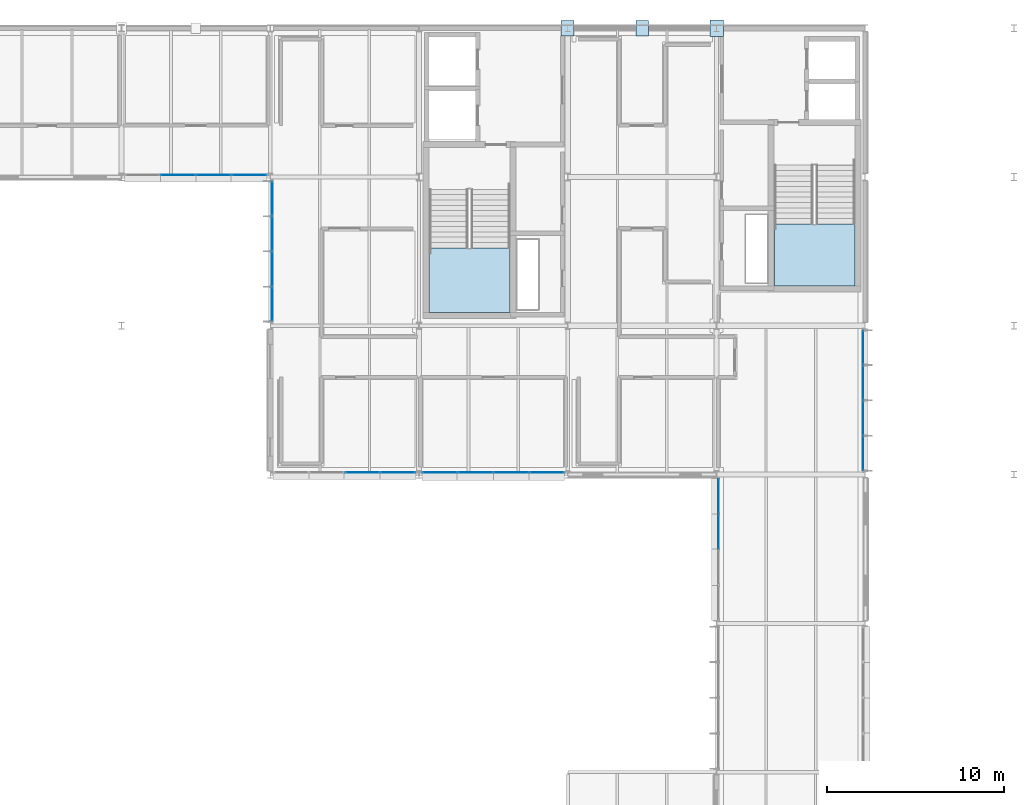
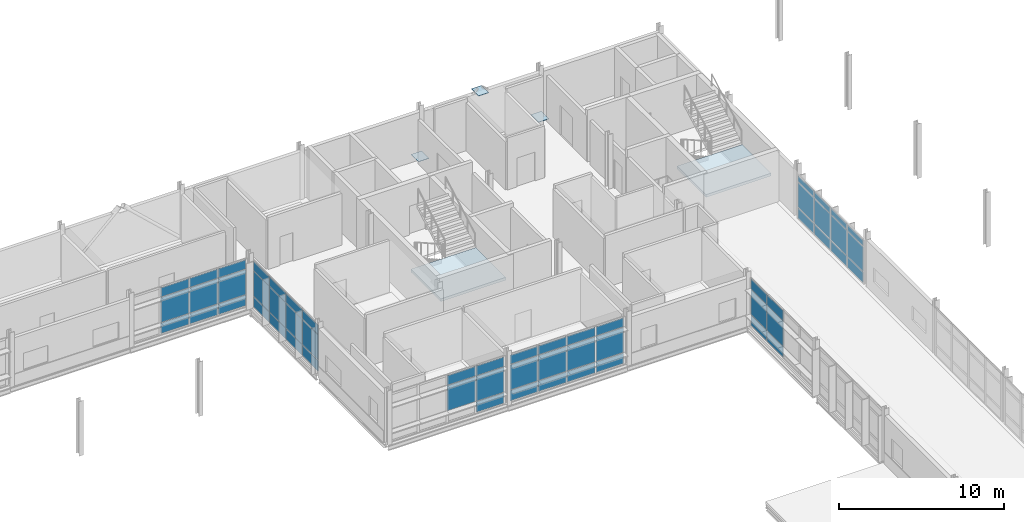
# One storey, part 49 of 66: 59 plates, 2 slabs, 8 elements without a shape of their own.
"""IFC4 building model written with IfcOpenShell, lengths in metres."""

from ifc_helpers import new_model, si_unit, direction, frame, origin, origin_2d, place, context, subcontext, project, spatial, polyline, rectangle, outline, extrude, material, layer, layer_set, type_object, element, aggregate, save


model = new_model("IFC4")

# Units and contexts
model_context = context("Model", 3, precision=1e-05, world=origin(), true_north=direction((0.0, 1.0)))
body_context = subcontext(model_context, "Body", "Model", "MODEL_VIEW")
ifc_project = project(units=[si_unit("LENGTHUNIT", "METRE"), si_unit("AREAUNIT", "SQUARE_METRE"), si_unit("VOLUMEUNIT", "CUBIC_METRE"), si_unit("PLANEANGLEUNIT", "RADIAN"), si_unit("MASSUNIT", "GRAM", prefix="KILO")], contexts=[model_context])

# Site, building, storey
site_placement = place(None, origin())
site = spatial("IfcSite", under=ifc_project, at=site_placement, CompositionType="ELEMENT")
building_placement = place(site_placement, origin())
building = spatial("IfcBuilding", under=site, at=building_placement, Name="Mersafa Astral City Hall", CompositionType="ELEMENT")
storey_placement = place(building_placement, frame((0.0, 0.0, 22.050048828125)))
storey = spatial("IfcBuildingStorey", under=building, at=storey_placement, Name="L05", CompositionType="ELEMENT", Elevation=22.050048828125)

# Curtain wall, plates
ifc_material_1 = material(Name="Anodised bronze aluminium framing", Category="aluminium")
curtain_wall_type_1 = type_object("IfcCurtainWallType", Name="ENV-CW-1", PredefinedType="USERDEFINED", material=ifc_material_1)
curtain_wall_1_placement = place(storey_placement, origin())
curtain_wall_1 = element("IfcCurtainWall", 1, at=curtain_wall_1_placement, inside=storey, type_object=curtain_wall_type_1, Name="L05 Unitised solar curtain wall 228", ObjectType="UNITISED CURTAIN WALL", PredefinedType="USERDEFINED")
ifc_material_2 = material(Name="Solar control low-e double glazing", Category="glass")
ifc_layer_1 = layer(ifc_material_2, 0.028076171875, Name="Solar control low-e double glazing")
ifc_layer_set_1 = layer_set([ifc_layer_1], Name="Solar control low-e double glazing — ENV-CW-PNL-GLZ-1")
plate_type_1 = type_object("IfcPlateType", Name="ENV-CW-PNL-GLZ-1", PredefinedType="CURTAIN_PANEL", material=ifc_layer_set_1)
plate_1_placement = place(storey_placement, frame((176.280029296875, 101.997802734375, 0.05810546875), z_axis=(0.0, 0.0, 1.0), x_axis=(0.0, 1.0, 0.0)))
plate_1 = element("IfcPlate", 2, at=plate_1_placement, type_object=plate_type_1, Name="CW-1 panel 1.1", PredefinedType="CURTAIN_PANEL", context=body_context, shape_type="SweptSolid", body=[
    extrude(rectangle(XDim=1.91162109375, YDim=0.028076171875, at=origin_2d()), origin(), (0.0, 0.0, 1.0), 0.761962890625),
])
plate_2_placement = place(storey_placement, frame((176.280029296875, 101.997802734375, 0.8798828125), z_axis=(0.0, 0.0, 1.0), x_axis=(0.0, 1.0, 0.0)))
plate_2 = element("IfcPlate", 3, at=plate_2_placement, type_object=plate_type_1, Name="CW-1 panel 1.2", PredefinedType="CURTAIN_PANEL", context=body_context, shape_type="SweptSolid", body=[
    extrude(rectangle(XDim=1.91162109375, YDim=0.028076171875, at=origin_2d()), origin(), (0.0, 0.0, 1.0), 1.840087890625),
])
plate_3_placement = place(storey_placement, frame((176.280029296875, 101.997802734375, 2.77978515625), z_axis=(0.0, 0.0, 1.0), x_axis=(0.0, 1.0, 0.0)))
plate_3 = element("IfcPlate", 4, at=plate_3_placement, type_object=plate_type_1, Name="CW-1 panel 1.3", PredefinedType="CURTAIN_PANEL", context=body_context, shape_type="SweptSolid", body=[
    extrude(rectangle(XDim=1.91162109375, YDim=0.028076171875, at=origin_2d()), origin(), (0.0, 0.0, 1.0), 0.431884765625),
])
plate_4_placement = place(storey_placement, frame((176.280029296875, 103.984130859375, 0.05810546875), z_axis=(0.0, 0.0, 1.0), x_axis=(0.0, 1.0, 0.0)))
plate_4 = element("IfcPlate", 5, at=plate_4_placement, type_object=plate_type_1, Name="CW-1 panel 2.1", PredefinedType="CURTAIN_PANEL", context=body_context, shape_type="SweptSolid", body=[
    extrude(rectangle(XDim=1.94140625, YDim=0.028076171875, at=origin_2d()), origin(), (0.0, 0.0, 1.0), 0.761962890625),
])
plate_5_placement = place(storey_placement, frame((176.280029296875, 103.984130859375, 0.8798828125), z_axis=(0.0, 0.0, 1.0), x_axis=(0.0, 1.0, 0.0)))
plate_5 = element("IfcPlate", 6, at=plate_5_placement, type_object=plate_type_1, Name="CW-1 panel 2.2", PredefinedType="CURTAIN_PANEL", context=body_context, shape_type="SweptSolid", body=[
    extrude(rectangle(XDim=1.94140625, YDim=0.028076171875, at=origin_2d()), origin(), (0.0, 0.0, 1.0), 1.840087890625),
])
plate_6_placement = place(storey_placement, frame((176.280029296875, 103.984130859375, 2.77978515625), z_axis=(0.0, 0.0, 1.0), x_axis=(0.0, 1.0, 0.0)))
plate_6 = element("IfcPlate", 7, at=plate_6_placement, type_object=plate_type_1, Name="CW-1 panel 2.3", PredefinedType="CURTAIN_PANEL", context=body_context, shape_type="SweptSolid", body=[
    extrude(rectangle(XDim=1.94140625, YDim=0.028076171875, at=origin_2d()), origin(), (0.0, 0.0, 1.0), 0.431884765625),
])
plate_7_placement = place(storey_placement, frame((176.280029296875, 105.98583984375, 0.05810546875), z_axis=(0.0, 0.0, 1.0), x_axis=(0.0, 1.0, 0.0)))
plate_7 = element("IfcPlate", 8, at=plate_7_placement, type_object=plate_type_1, Name="CW-1 panel 3.1", PredefinedType="CURTAIN_PANEL", context=body_context, shape_type="SweptSolid", body=[
    extrude(rectangle(XDim=1.94140625, YDim=0.028076171875, at=origin_2d()), origin(), (0.0, 0.0, 1.0), 0.761962890625),
])
plate_8_placement = place(storey_placement, frame((176.280029296875, 105.98583984375, 0.8798828125), z_axis=(0.0, 0.0, 1.0), x_axis=(0.0, 1.0, 0.0)))
plate_8 = element("IfcPlate", 9, at=plate_8_placement, type_object=plate_type_1, Name="CW-1 panel 3.2", PredefinedType="CURTAIN_PANEL", context=body_context, shape_type="SweptSolid", body=[
    extrude(rectangle(XDim=1.94140625, YDim=0.028076171875, at=origin_2d()), origin(), (0.0, 0.0, 1.0), 1.840087890625),
])
plate_9_placement = place(storey_placement, frame((176.280029296875, 105.98583984375, 2.77978515625), z_axis=(0.0, 0.0, 1.0), x_axis=(0.0, 1.0, 0.0)))
plate_9 = element("IfcPlate", 10, at=plate_9_placement, type_object=plate_type_1, Name="CW-1 panel 3.3", PredefinedType="CURTAIN_PANEL", context=body_context, shape_type="SweptSolid", body=[
    extrude(rectangle(XDim=1.94140625, YDim=0.028076171875, at=origin_2d()), origin(), (0.0, 0.0, 1.0), 0.431884765625),
])
plate_10_placement = place(storey_placement, frame((176.280029296875, 107.97216796875, 0.05810546875), z_axis=(0.0, 0.0, 1.0), x_axis=(0.0, 1.0, 0.0)))
plate_10 = element("IfcPlate", 11, at=plate_10_placement, type_object=plate_type_1, Name="CW-1 panel 4.1", PredefinedType="CURTAIN_PANEL", context=body_context, shape_type="SweptSolid", body=[
    extrude(rectangle(XDim=1.91162109375, YDim=0.028076171875, at=origin_2d()), origin(), (0.0, 0.0, 1.0), 0.761962890625),
])
plate_11_placement = place(storey_placement, frame((176.280029296875, 107.97216796875, 0.8798828125), z_axis=(0.0, 0.0, 1.0), x_axis=(0.0, 1.0, 0.0)))
plate_11 = element("IfcPlate", 12, at=plate_11_placement, type_object=plate_type_1, Name="CW-1 panel 4.2", PredefinedType="CURTAIN_PANEL", context=body_context, shape_type="SweptSolid", body=[
    extrude(rectangle(XDim=1.91162109375, YDim=0.028076171875, at=origin_2d()), origin(), (0.0, 0.0, 1.0), 1.840087890625),
])
plate_12_placement = place(storey_placement, frame((176.280029296875, 107.97216796875, 2.77978515625), z_axis=(0.0, 0.0, 1.0), x_axis=(0.0, 1.0, 0.0)))
plate_12 = element("IfcPlate", 13, at=plate_12_placement, type_object=plate_type_1, Name="CW-1 panel 4.3", PredefinedType="CURTAIN_PANEL", context=body_context, shape_type="SweptSolid", body=[
    extrude(rectangle(XDim=1.91162109375, YDim=0.028076171875, at=origin_2d()), origin(), (0.0, 0.0, 1.0), 0.431884765625),
])
aggregate(curtain_wall_1, [plate_1, plate_2, plate_3, plate_4, plate_5, plate_6, plate_7, plate_8, plate_9, plate_10, plate_11, plate_12])

curtain_wall_type_2 = type_object("IfcCurtainWallType", Name="ENV-CW-5", PredefinedType="USERDEFINED", material=ifc_material_1)
curtain_wall_2_placement = place(storey_placement, origin())
curtain_wall_2 = element("IfcCurtainWall", 14, at=curtain_wall_2_placement, inside=storey, type_object=curtain_wall_type_2, Name="L05 Unitised solar curtain wall 244", ObjectType="UNITISED CURTAIN WALL", PredefinedType="USERDEFINED")
plate_13_placement = place(storey_placement, frame((152.386474609375, 100.919921875, 0.05810546875), z_axis=(0.0, 0.0, 1.0), x_axis=(1.0, 0.0, 0.0)))
plate_13 = element("IfcPlate", 15, at=plate_13_placement, type_object=plate_type_1, Name="CW-5 panel 1.1", PredefinedType="CURTAIN_PANEL", context=body_context, shape_type="SweptSolid", body=[
    extrude(rectangle(XDim=1.928955078125, YDim=0.028076171875, at=origin_2d()), origin(), (0.0, 0.0, 1.0), 0.761962890625),
])
plate_14_placement = place(storey_placement, frame((152.386474609375, 100.919921875, 0.8798828125), z_axis=(0.0, 0.0, 1.0), x_axis=(1.0, 0.0, 0.0)))
plate_14 = element("IfcPlate", 16, at=plate_14_placement, type_object=plate_type_1, Name="CW-5 panel 1.2", PredefinedType="CURTAIN_PANEL", context=body_context, shape_type="SweptSolid", body=[
    extrude(rectangle(XDim=1.928955078125, YDim=0.028076171875, at=origin_2d()), origin(), (0.0, 0.0, 1.0), 1.840087890625),
])
plate_15_placement = place(storey_placement, frame((152.386474609375, 100.919921875, 2.77978515625), z_axis=(0.0, 0.0, 1.0), x_axis=(1.0, 0.0, 0.0)))
plate_15 = element("IfcPlate", 17, at=plate_15_placement, type_object=plate_type_1, Name="CW-5 panel 1.3", PredefinedType="CURTAIN_PANEL", context=body_context, shape_type="SweptSolid", body=[
    extrude(rectangle(XDim=1.928955078125, YDim=0.028076171875, at=origin_2d()), origin(), (0.0, 0.0, 1.0), 0.672119140625),
])
plate_16_placement = place(storey_placement, frame((154.390380859375, 100.919921875, 0.05810546875), z_axis=(0.0, 0.0, 1.0), x_axis=(1.0, 0.0, 0.0)))
plate_16 = element("IfcPlate", 18, at=plate_16_placement, type_object=plate_type_1, Name="CW-5 panel 2.1", PredefinedType="CURTAIN_PANEL", context=body_context, shape_type="SweptSolid", body=[
    extrude(rectangle(XDim=1.958984375, YDim=0.028076171875, at=origin_2d()), origin(), (0.0, 0.0, 1.0), 0.761962890625),
])
plate_17_placement = place(storey_placement, frame((154.390380859375, 100.919921875, 0.8798828125), z_axis=(0.0, 0.0, 1.0), x_axis=(1.0, 0.0, 0.0)))
plate_17 = element("IfcPlate", 19, at=plate_17_placement, type_object=plate_type_1, Name="CW-5 panel 2.2", PredefinedType="CURTAIN_PANEL", context=body_context, shape_type="SweptSolid", body=[
    extrude(rectangle(XDim=1.958984375, YDim=0.028076171875, at=origin_2d()), origin(), (0.0, 0.0, 1.0), 1.840087890625),
])
plate_18_placement = place(storey_placement, frame((154.390380859375, 100.919921875, 2.77978515625), z_axis=(0.0, 0.0, 1.0), x_axis=(1.0, 0.0, 0.0)))
plate_18 = element("IfcPlate", 20, at=plate_18_placement, type_object=plate_type_1, Name="CW-5 panel 2.3", PredefinedType="CURTAIN_PANEL", context=body_context, shape_type="SweptSolid", body=[
    extrude(rectangle(XDim=1.958984375, YDim=0.028076171875, at=origin_2d()), origin(), (0.0, 0.0, 1.0), 0.672119140625),
])
plate_19_placement = place(storey_placement, frame((156.409423828125, 100.919921875, 0.05810546875), z_axis=(0.0, 0.0, 1.0), x_axis=(1.0, 0.0, 0.0)))
plate_19 = element("IfcPlate", 21, at=plate_19_placement, type_object=plate_type_1, Name="CW-5 panel 3.1", PredefinedType="CURTAIN_PANEL", context=body_context, shape_type="SweptSolid", body=[
    extrude(rectangle(XDim=1.958984375, YDim=0.028076171875, at=origin_2d()), origin(), (0.0, 0.0, 1.0), 0.761962890625),
])
plate_20_placement = place(storey_placement, frame((156.409423828125, 100.919921875, 0.8798828125), z_axis=(0.0, 0.0, 1.0), x_axis=(1.0, 0.0, 0.0)))
plate_20 = element("IfcPlate", 22, at=plate_20_placement, type_object=plate_type_1, Name="CW-5 panel 3.2", PredefinedType="CURTAIN_PANEL", context=body_context, shape_type="SweptSolid", body=[
    extrude(rectangle(XDim=1.958984375, YDim=0.028076171875, at=origin_2d()), origin(), (0.0, 0.0, 1.0), 1.840087890625),
])
plate_21_placement = place(storey_placement, frame((156.409423828125, 100.919921875, 2.77978515625), z_axis=(0.0, 0.0, 1.0), x_axis=(1.0, 0.0, 0.0)))
plate_21 = element("IfcPlate", 23, at=plate_21_placement, type_object=plate_type_1, Name="CW-5 panel 3.3", PredefinedType="CURTAIN_PANEL", context=body_context, shape_type="SweptSolid", body=[
    extrude(rectangle(XDim=1.958984375, YDim=0.028076171875, at=origin_2d()), origin(), (0.0, 0.0, 1.0), 0.672119140625),
])
plate_22_placement = place(storey_placement, frame((158.41357421875, 100.919921875, 0.05810546875), z_axis=(0.0, 0.0, 1.0), x_axis=(1.0, 0.0, 0.0)))
plate_22 = element("IfcPlate", 24, at=plate_22_placement, type_object=plate_type_1, Name="CW-5 panel 4.1", PredefinedType="CURTAIN_PANEL", context=body_context, shape_type="SweptSolid", body=[
    extrude(rectangle(XDim=1.928955078125, YDim=0.028076171875, at=origin_2d()), origin(), (0.0, 0.0, 1.0), 0.761962890625),
])
plate_23_placement = place(storey_placement, frame((158.41357421875, 100.919921875, 0.8798828125), z_axis=(0.0, 0.0, 1.0), x_axis=(1.0, 0.0, 0.0)))
plate_23 = element("IfcPlate", 25, at=plate_23_placement, type_object=plate_type_1, Name="CW-5 panel 4.2", PredefinedType="CURTAIN_PANEL", context=body_context, shape_type="SweptSolid", body=[
    extrude(rectangle(XDim=1.928955078125, YDim=0.028076171875, at=origin_2d()), origin(), (0.0, 0.0, 1.0), 1.840087890625),
])
plate_24_placement = place(storey_placement, frame((158.41357421875, 100.919921875, 2.77978515625), z_axis=(0.0, 0.0, 1.0), x_axis=(1.0, 0.0, 0.0)))
plate_24 = element("IfcPlate", 26, at=plate_24_placement, type_object=plate_type_1, Name="CW-5 panel 4.3", PredefinedType="CURTAIN_PANEL", context=body_context, shape_type="SweptSolid", body=[
    extrude(rectangle(XDim=1.928955078125, YDim=0.028076171875, at=origin_2d()), origin(), (0.0, 0.0, 1.0), 0.672119140625),
])
aggregate(curtain_wall_2, [plate_13, plate_14, plate_15, plate_16, plate_17, plate_18, plate_19, plate_20, plate_21, plate_22, plate_23, plate_24])

curtain_wall_type_3 = type_object("IfcCurtainWallType", Name="ENV-CW-2", PredefinedType="USERDEFINED", material=ifc_material_1)
curtain_wall_3_placement = place(storey_placement, origin())
curtain_wall_3 = element("IfcCurtainWall", 27, at=curtain_wall_3_placement, inside=storey, type_object=curtain_wall_type_3, Name="L05 Unitised solar curtain wall 241", ObjectType="UNITISED CURTAIN WALL", PredefinedType="USERDEFINED")
ifc_layer_2 = layer(ifc_material_2, 0.031982421875, Name="Solar control low-e double glazing")
ifc_layer_set_2 = layer_set([ifc_layer_2], Name="Solar control low-e double glazing — ENV-CW-PNL-GLZ-2")
plate_type_2 = type_object("IfcPlateType", Name="ENV-CW-PNL-GLZ-2", PredefinedType="CURTAIN_PANEL", material=ifc_layer_set_2)
plate_25_placement = place(storey_placement, frame((137.590576171875, 117.719970703125, 0.05810546875), z_axis=(0.0, 0.0, 1.0), x_axis=(1.0, 0.0, 0.0)))
plate_25 = element("IfcPlate", 28, at=plate_25_placement, type_object=plate_type_2, Name="CW-2 panel 2.1", PredefinedType="CURTAIN_PANEL", context=body_context, shape_type="SweptSolid", body=[
    extrude(rectangle(XDim=1.958984375, YDim=0.031982421875, at=origin_2d()), origin(), (0.0, 0.0, 1.0), 0.761962890625),
])
plate_26_placement = place(storey_placement, frame((137.590576171875, 117.719970703125, 0.8798828125), z_axis=(0.0, 0.0, 1.0), x_axis=(1.0, 0.0, 0.0)))
plate_26 = element("IfcPlate", 29, at=plate_26_placement, type_object=plate_type_2, Name="CW-2 panel 2.2", PredefinedType="CURTAIN_PANEL", context=body_context, shape_type="SweptSolid", body=[
    extrude(rectangle(XDim=1.958984375, YDim=0.031982421875, at=origin_2d()), origin(), (0.0, 0.0, 1.0), 1.840087890625),
])
plate_27_placement = place(storey_placement, frame((137.590576171875, 117.719970703125, 2.77978515625), z_axis=(0.0, 0.0, 1.0), x_axis=(1.0, 0.0, 0.0)))
plate_27 = element("IfcPlate", 30, at=plate_27_placement, type_object=plate_type_2, Name="CW-2 panel 2.3", PredefinedType="CURTAIN_PANEL", context=body_context, shape_type="SweptSolid", body=[
    extrude(rectangle(XDim=1.958984375, YDim=0.031982421875, at=origin_2d()), origin(), (0.0, 0.0, 1.0), 0.672119140625),
])
plate_28_placement = place(storey_placement, frame((139.609619140625, 117.719970703125, 0.05810546875), z_axis=(0.0, 0.0, 1.0), x_axis=(1.0, 0.0, 0.0)))
plate_28 = element("IfcPlate", 31, at=plate_28_placement, type_object=plate_type_2, Name="CW-2 panel 3.1", PredefinedType="CURTAIN_PANEL", context=body_context, shape_type="SweptSolid", body=[
    extrude(rectangle(XDim=1.958984375, YDim=0.031982421875, at=origin_2d()), origin(), (0.0, 0.0, 1.0), 0.761962890625),
])
plate_29_placement = place(storey_placement, frame((139.609619140625, 117.719970703125, 0.8798828125), z_axis=(0.0, 0.0, 1.0), x_axis=(1.0, 0.0, 0.0)))
plate_29 = element("IfcPlate", 32, at=plate_29_placement, type_object=plate_type_2, Name="CW-2 panel 3.2", PredefinedType="CURTAIN_PANEL", context=body_context, shape_type="SweptSolid", body=[
    extrude(rectangle(XDim=1.958984375, YDim=0.031982421875, at=origin_2d()), origin(), (0.0, 0.0, 1.0), 1.840087890625),
])
plate_30_placement = place(storey_placement, frame((139.609619140625, 117.719970703125, 2.77978515625), z_axis=(0.0, 0.0, 1.0), x_axis=(1.0, 0.0, 0.0)))
plate_30 = element("IfcPlate", 33, at=plate_30_placement, type_object=plate_type_2, Name="CW-2 panel 3.3", PredefinedType="CURTAIN_PANEL", context=body_context, shape_type="SweptSolid", body=[
    extrude(rectangle(XDim=1.958984375, YDim=0.031982421875, at=origin_2d()), origin(), (0.0, 0.0, 1.0), 0.672119140625),
])
plate_31_placement = place(storey_placement, frame((141.613525390625, 117.719970703125, 0.05810546875), z_axis=(0.0, 0.0, 1.0), x_axis=(1.0, 0.0, 0.0)))
plate_31 = element("IfcPlate", 34, at=plate_31_placement, type_object=plate_type_2, Name="CW-2 panel 4.1", PredefinedType="CURTAIN_PANEL", context=body_context, shape_type="SweptSolid", body=[
    extrude(rectangle(XDim=1.928955078125, YDim=0.031982421875, at=origin_2d()), origin(), (0.0, 0.0, 1.0), 0.761962890625),
])
plate_32_placement = place(storey_placement, frame((141.613525390625, 117.719970703125, 0.8798828125), z_axis=(0.0, 0.0, 1.0), x_axis=(1.0, 0.0, 0.0)))
plate_32 = element("IfcPlate", 35, at=plate_32_placement, type_object=plate_type_2, Name="CW-2 panel 4.2", PredefinedType="CURTAIN_PANEL", context=body_context, shape_type="SweptSolid", body=[
    extrude(rectangle(XDim=1.928955078125, YDim=0.031982421875, at=origin_2d()), origin(), (0.0, 0.0, 1.0), 1.840087890625),
])
plate_33_placement = place(storey_placement, frame((141.613525390625, 117.719970703125, 2.77978515625), z_axis=(0.0, 0.0, 1.0), x_axis=(1.0, 0.0, 0.0)))
plate_33 = element("IfcPlate", 36, at=plate_33_placement, type_object=plate_type_2, Name="CW-2 panel 4.3", PredefinedType="CURTAIN_PANEL", context=body_context, shape_type="SweptSolid", body=[
    extrude(rectangle(XDim=1.928955078125, YDim=0.031982421875, at=origin_2d()), origin(), (0.0, 0.0, 1.0), 0.672119140625),
])
aggregate(curtain_wall_3, [plate_25, plate_26, plate_27, plate_28, plate_29, plate_30, plate_31, plate_32, plate_33])

curtain_wall_type_4 = type_object("IfcCurtainWallType", Name="ENV-CW-6", PredefinedType="USERDEFINED", material=ifc_material_1)
curtain_wall_4_placement = place(storey_placement, origin())
curtain_wall_4 = element("IfcCurtainWall", 37, at=curtain_wall_4_placement, inside=storey, type_object=curtain_wall_type_4, Name="L05 Unitised solar curtain wall 245", ObjectType="UNITISED CURTAIN WALL", PredefinedType="USERDEFINED")
plate_34_placement = place(storey_placement, frame((168.1201171875, 99.56982421875, 0.05810546875), z_axis=(0.0, 0.0, 1.0), x_axis=(0.0, -1.0, 0.0)))
plate_34 = element("IfcPlate", 38, at=plate_34_placement, type_object=plate_type_2, Name="CW-6 panel 1.1", PredefinedType="CURTAIN_PANEL", context=body_context, shape_type="SweptSolid", body=[
    extrude(rectangle(XDim=1.91650390625, YDim=0.031982421875, at=origin_2d()), origin(), (0.0, 0.0, 1.0), 0.761962890625),
])
plate_35_placement = place(storey_placement, frame((168.1201171875, 99.56982421875, 0.8798828125), z_axis=(0.0, 0.0, 1.0), x_axis=(0.0, -1.0, 0.0)))
plate_35 = element("IfcPlate", 39, at=plate_35_placement, type_object=plate_type_2, Name="CW-6 panel 1.2", PredefinedType="CURTAIN_PANEL", context=body_context, shape_type="SweptSolid", body=[
    extrude(rectangle(XDim=1.91650390625, YDim=0.031982421875, at=origin_2d()), origin(), (0.0, 0.0, 1.0), 1.840087890625),
])
plate_36_placement = place(storey_placement, frame((168.1201171875, 99.56982421875, 2.77978515625), z_axis=(0.0, 0.0, 1.0), x_axis=(0.0, -1.0, 0.0)))
plate_36 = element("IfcPlate", 40, at=plate_36_placement, type_object=plate_type_2, Name="CW-6 panel 1.3", PredefinedType="CURTAIN_PANEL", context=body_context, shape_type="SweptSolid", body=[
    extrude(rectangle(XDim=1.91650390625, YDim=0.031982421875, at=origin_2d()), origin(), (0.0, 0.0, 1.0), 0.737060546875),
])
plate_37_placement = place(storey_placement, frame((168.1201171875, 97.578369140625, 0.05810546875), z_axis=(0.0, 0.0, 1.0), x_axis=(0.0, -1.0, 0.0)))
plate_37 = element("IfcPlate", 41, at=plate_37_placement, type_object=plate_type_2, Name="CW-6 panel 2.1", PredefinedType="CURTAIN_PANEL", context=body_context, shape_type="SweptSolid", body=[
    extrude(rectangle(XDim=1.946533203125, YDim=0.031982421875, at=origin_2d()), origin(), (0.0, 0.0, 1.0), 0.761962890625),
])
plate_38_placement = place(storey_placement, frame((168.1201171875, 97.578369140625, 0.8798828125), z_axis=(0.0, 0.0, 1.0), x_axis=(0.0, -1.0, 0.0)))
plate_38 = element("IfcPlate", 42, at=plate_38_placement, type_object=plate_type_2, Name="CW-6 panel 2.2", PredefinedType="CURTAIN_PANEL", context=body_context, shape_type="SweptSolid", body=[
    extrude(rectangle(XDim=1.946533203125, YDim=0.031982421875, at=origin_2d()), origin(), (0.0, 0.0, 1.0), 1.840087890625),
])
plate_39_placement = place(storey_placement, frame((168.1201171875, 97.578369140625, 2.77978515625), z_axis=(0.0, 0.0, 1.0), x_axis=(0.0, -1.0, 0.0)))
plate_39 = element("IfcPlate", 43, at=plate_39_placement, type_object=plate_type_2, Name="CW-6 panel 2.3", PredefinedType="CURTAIN_PANEL", context=body_context, shape_type="SweptSolid", body=[
    extrude(rectangle(XDim=1.946533203125, YDim=0.031982421875, at=origin_2d()), origin(), (0.0, 0.0, 1.0), 0.737060546875),
])
aggregate(curtain_wall_4, [plate_34, plate_35, plate_36, plate_37, plate_38, plate_39])

curtain_wall_type_5 = type_object("IfcCurtainWallType", Name="ENV-CW-3", PredefinedType="USERDEFINED", material=ifc_material_1)
curtain_wall_5_placement = place(storey_placement, origin())
curtain_wall_5 = element("IfcCurtainWall", 44, at=curtain_wall_5_placement, inside=storey, type_object=curtain_wall_type_5, Name="L05 Unitised solar curtain wall 242", ObjectType="UNITISED CURTAIN WALL", PredefinedType="USERDEFINED")
ifc_layer_3 = layer(ifc_material_2, 0.035888671875, Name="Solar control low-e double glazing")
ifc_layer_set_3 = layer_set([ifc_layer_3], Name="Solar control low-e double glazing — ENV-CW-PNL-GLZ-3")
plate_type_3 = type_object("IfcPlateType", Name="ENV-CW-PNL-GLZ-3", PredefinedType="CURTAIN_PANEL", material=ifc_layer_set_3)
plate_40_placement = place(storey_placement, frame((142.919921875, 116.3759765625, 0.05810546875), z_axis=(0.0, 0.0, 1.0), x_axis=(0.0, -1.0, 0.0)))
plate_40 = element("IfcPlate", 45, at=plate_40_placement, type_object=plate_type_3, Name="CW-3 panel 1.1", PredefinedType="CURTAIN_PANEL", context=body_context, shape_type="SweptSolid", body=[
    extrude(rectangle(XDim=1.904052734375, YDim=0.035888671875, at=origin_2d()), origin(), (0.0, 0.0, 1.0), 0.761962890625),
])
plate_41_placement = place(storey_placement, frame((142.919921875, 116.3759765625, 0.8798828125), z_axis=(0.0, 0.0, 1.0), x_axis=(0.0, -1.0, 0.0)))
plate_41 = element("IfcPlate", 46, at=plate_41_placement, type_object=plate_type_3, Name="CW-3 panel 1.2", PredefinedType="CURTAIN_PANEL", context=body_context, shape_type="SweptSolid", body=[
    extrude(rectangle(XDim=1.904052734375, YDim=0.035888671875, at=origin_2d()), origin(), (0.0, 0.0, 1.0), 1.840087890625),
])
plate_42_placement = place(storey_placement, frame((142.919921875, 116.3759765625, 2.77978515625), z_axis=(0.0, 0.0, 1.0), x_axis=(0.0, -1.0, 0.0)))
plate_42 = element("IfcPlate", 47, at=plate_42_placement, type_object=plate_type_3, Name="CW-3 panel 1.3", PredefinedType="CURTAIN_PANEL", context=body_context, shape_type="SweptSolid", body=[
    extrude(rectangle(XDim=1.904052734375, YDim=0.035888671875, at=origin_2d()), origin(), (0.0, 0.0, 1.0), 0.672119140625),
])
plate_43_placement = place(storey_placement, frame((142.919921875, 114.39697265625, 0.05810546875), z_axis=(0.0, 0.0, 1.0), x_axis=(0.0, -1.0, 0.0)))
plate_43 = element("IfcPlate", 48, at=plate_43_placement, type_object=plate_type_3, Name="CW-3 panel 2.1", PredefinedType="CURTAIN_PANEL", context=body_context, shape_type="SweptSolid", body=[
    extrude(rectangle(XDim=1.93408203125, YDim=0.035888671875, at=origin_2d()), origin(), (0.0, 0.0, 1.0), 0.761962890625),
])
plate_44_placement = place(storey_placement, frame((142.919921875, 114.39697265625, 0.8798828125), z_axis=(0.0, 0.0, 1.0), x_axis=(0.0, -1.0, 0.0)))
plate_44 = element("IfcPlate", 49, at=plate_44_placement, type_object=plate_type_3, Name="CW-3 panel 2.2", PredefinedType="CURTAIN_PANEL", context=body_context, shape_type="SweptSolid", body=[
    extrude(rectangle(XDim=1.93408203125, YDim=0.035888671875, at=origin_2d()), origin(), (0.0, 0.0, 1.0), 1.840087890625),
])
plate_45_placement = place(storey_placement, frame((142.919921875, 114.39697265625, 2.77978515625), z_axis=(0.0, 0.0, 1.0), x_axis=(0.0, -1.0, 0.0)))
plate_45 = element("IfcPlate", 50, at=plate_45_placement, type_object=plate_type_3, Name="CW-3 panel 2.3", PredefinedType="CURTAIN_PANEL", context=body_context, shape_type="SweptSolid", body=[
    extrude(rectangle(XDim=1.93408203125, YDim=0.035888671875, at=origin_2d()), origin(), (0.0, 0.0, 1.0), 0.672119140625),
])
plate_46_placement = place(storey_placement, frame((142.919921875, 112.403076171875, 0.05810546875), z_axis=(0.0, 0.0, 1.0), x_axis=(0.0, -1.0, 0.0)))
plate_46 = element("IfcPlate", 51, at=plate_46_placement, type_object=plate_type_3, Name="CW-3 panel 3.1", PredefinedType="CURTAIN_PANEL", context=body_context, shape_type="SweptSolid", body=[
    extrude(rectangle(XDim=1.93408203125, YDim=0.035888671875, at=origin_2d()), origin(), (0.0, 0.0, 1.0), 0.761962890625),
])
plate_47_placement = place(storey_placement, frame((142.919921875, 112.403076171875, 0.8798828125), z_axis=(0.0, 0.0, 1.0), x_axis=(0.0, -1.0, 0.0)))
plate_47 = element("IfcPlate", 52, at=plate_47_placement, type_object=plate_type_3, Name="CW-3 panel 3.2", PredefinedType="CURTAIN_PANEL", context=body_context, shape_type="SweptSolid", body=[
    extrude(rectangle(XDim=1.93408203125, YDim=0.035888671875, at=origin_2d()), origin(), (0.0, 0.0, 1.0), 1.840087890625),
])
plate_48_placement = place(storey_placement, frame((142.919921875, 112.403076171875, 2.77978515625), z_axis=(0.0, 0.0, 1.0), x_axis=(0.0, -1.0, 0.0)))
plate_48 = element("IfcPlate", 53, at=plate_48_placement, type_object=plate_type_3, Name="CW-3 panel 3.3", PredefinedType="CURTAIN_PANEL", context=body_context, shape_type="SweptSolid", body=[
    extrude(rectangle(XDim=1.93408203125, YDim=0.035888671875, at=origin_2d()), origin(), (0.0, 0.0, 1.0), 0.672119140625),
])
plate_49_placement = place(storey_placement, frame((142.919921875, 110.424072265625, 0.05810546875), z_axis=(0.0, 0.0, 1.0), x_axis=(0.0, -1.0, 0.0)))
plate_49 = element("IfcPlate", 54, at=plate_49_placement, type_object=plate_type_3, Name="CW-3 panel 4.1", PredefinedType="CURTAIN_PANEL", context=body_context, shape_type="SweptSolid", body=[
    extrude(rectangle(XDim=1.904052734375, YDim=0.035888671875, at=origin_2d()), origin(), (0.0, 0.0, 1.0), 0.761962890625),
])
plate_50_placement = place(storey_placement, frame((142.919921875, 110.424072265625, 0.8798828125), z_axis=(0.0, 0.0, 1.0), x_axis=(0.0, -1.0, 0.0)))
plate_50 = element("IfcPlate", 55, at=plate_50_placement, type_object=plate_type_3, Name="CW-3 panel 4.2", PredefinedType="CURTAIN_PANEL", context=body_context, shape_type="SweptSolid", body=[
    extrude(rectangle(XDim=1.904052734375, YDim=0.035888671875, at=origin_2d()), origin(), (0.0, 0.0, 1.0), 1.840087890625),
])
plate_51_placement = place(storey_placement, frame((142.919921875, 110.424072265625, 2.77978515625), z_axis=(0.0, 0.0, 1.0), x_axis=(0.0, -1.0, 0.0)))
plate_51 = element("IfcPlate", 56, at=plate_51_placement, type_object=plate_type_3, Name="CW-3 panel 4.3", PredefinedType="CURTAIN_PANEL", context=body_context, shape_type="SweptSolid", body=[
    extrude(rectangle(XDim=1.904052734375, YDim=0.035888671875, at=origin_2d()), origin(), (0.0, 0.0, 1.0), 0.672119140625),
])
aggregate(curtain_wall_5, [plate_40, plate_41, plate_42, plate_43, plate_44, plate_45, plate_46, plate_47, plate_48, plate_49, plate_50, plate_51])

curtain_wall_type_6 = type_object("IfcCurtainWallType", Name="ENV-CW-4", PredefinedType="USERDEFINED", material=ifc_material_1)
curtain_wall_6_placement = place(storey_placement, origin())
curtain_wall_6 = element("IfcCurtainWall", 57, at=curtain_wall_6_placement, inside=storey, type_object=curtain_wall_type_6, Name="L05 Unitised solar curtain wall 243", ObjectType="UNITISED CURTAIN WALL", PredefinedType="USERDEFINED")
ifc_layer_4 = layer(ifc_material_2, 0.0400390625, Name="Solar control low-e double glazing")
ifc_layer_set_4 = layer_set([ifc_layer_4], Name="Solar control low-e double glazing — ENV-CW-PNL-GLZ-4")
plate_type_4 = type_object("IfcPlateType", Name="ENV-CW-PNL-GLZ-4", PredefinedType="CURTAIN_PANEL", material=ifc_layer_set_4)
plate_52_placement = place(storey_placement, frame((148.009521484375, 100.919921875, 0.8798828125), z_axis=(0.0, 0.0, 1.0), x_axis=(1.0, 0.0, 0.0)))
plate_52 = element("IfcPlate", 58, at=plate_52_placement, type_object=plate_type_4, Name="CW-4 panel 3.2", PredefinedType="CURTAIN_PANEL", context=body_context, shape_type="SweptSolid", body=[
    extrude(rectangle(XDim=1.958984375, YDim=0.0400390625, at=origin_2d()), origin(), (0.0, 0.0, 1.0), 1.840087890625),
])
plate_53_placement = place(storey_placement, frame((148.009521484375, 100.919921875, 2.77978515625), z_axis=(0.0, 0.0, 1.0), x_axis=(1.0, 0.0, 0.0)))
plate_53 = element("IfcPlate", 59, at=plate_53_placement, type_object=plate_type_4, Name="CW-4 panel 3.3", PredefinedType="CURTAIN_PANEL", context=body_context, shape_type="SweptSolid", body=[
    extrude(rectangle(XDim=1.958984375, YDim=0.0400390625, at=origin_2d()), origin(), (0.0, 0.0, 1.0), 0.701904296875),
])
plate_54_placement = place(storey_placement, frame((150.013427734375, 100.919921875, 0.05810546875), z_axis=(0.0, 0.0, 1.0), x_axis=(1.0, 0.0, 0.0)))
plate_54 = element("IfcPlate", 60, at=plate_54_placement, type_object=plate_type_4, Name="CW-4 panel 4.1", PredefinedType="CURTAIN_PANEL", context=body_context, shape_type="SweptSolid", body=[
    extrude(rectangle(XDim=1.928955078125, YDim=0.0400390625, at=origin_2d()), origin(), (0.0, 0.0, 1.0), 0.761962890625),
])
plate_55_placement = place(storey_placement, frame((150.013427734375, 100.919921875, 0.8798828125), z_axis=(0.0, 0.0, 1.0), x_axis=(1.0, 0.0, 0.0)))
plate_55 = element("IfcPlate", 61, at=plate_55_placement, type_object=plate_type_4, Name="CW-4 panel 4.2", PredefinedType="CURTAIN_PANEL", context=body_context, shape_type="SweptSolid", body=[
    extrude(rectangle(XDim=1.928955078125, YDim=0.0400390625, at=origin_2d()), origin(), (0.0, 0.0, 1.0), 1.840087890625),
])
plate_56_placement = place(storey_placement, frame((150.013427734375, 100.919921875, 2.77978515625), z_axis=(0.0, 0.0, 1.0), x_axis=(1.0, 0.0, 0.0)))
plate_56 = element("IfcPlate", 62, at=plate_56_placement, type_object=plate_type_4, Name="CW-4 panel 4.3", PredefinedType="CURTAIN_PANEL", context=body_context, shape_type="SweptSolid", body=[
    extrude(rectangle(XDim=1.928955078125, YDim=0.0400390625, at=origin_2d()), origin(), (0.0, 0.0, 1.0), 0.701904296875),
])
aggregate(curtain_wall_6, [plate_52, plate_53, plate_54, plate_55, plate_56])

# Stair, slab
ifc_material_3 = material(Name="Concrete C40/50", Category="concrete")
stair_type = type_object("IfcStairType", Name="STAIR", PredefinedType="HALF_TURN_STAIR", material=ifc_material_3)
stair_1_placement = place(storey_placement, origin())
stair_1 = element("IfcStair", 63, at=stair_1_placement, inside=storey, type_object=stair_type, Name="L05 Protected Exit Stair ST1", PredefinedType="HALF_TURN_STAIR")
ifc_layer_5 = layer(ifc_material_3, 0.199951171875, Name="Concrete C40/50")
ifc_layer_set_5 = layer_set([ifc_layer_5], Name="Concrete C40/50 — STAIR-LANDING")
slab_type = type_object("IfcSlabType", Name="STAIR-LANDING", PredefinedType="LANDING", material=ifc_layer_set_5)
slab_1_placement = place(storey_placement, frame((0.0, 0.0, 1.824951171875)))
slab_1 = element("IfcSlab", 64, at=slab_1_placement, type_object=slab_type, Name="ST1 landing 1", PredefinedType="LANDING", context=body_context, shape_type="SweptSolid", body=[
    extrude(outline(polyline([(151.780029296875, 113.60009765625), (151.780029296875, 109.949951171875), (156.340087890625, 109.949951171875), (156.340087890625, 113.60009765625), (151.780029296875, 113.60009765625)])), origin(), (0.0, 0.0, 1.0), 0.199951171875),
])
aggregate(stair_1, [slab_1])

stair_2_placement = place(storey_placement, origin())
stair_2 = element("IfcStair", 65, at=stair_2_placement, inside=storey, type_object=stair_type, Name="L05 Protected Exit Stair ST2", PredefinedType="HALF_TURN_STAIR")
slab_2_placement = place(storey_placement, frame((0.0, 0.0, 1.824951171875)))
slab_2 = element("IfcSlab", 66, at=slab_2_placement, type_object=slab_type, Name="ST2 landing 1", PredefinedType="LANDING", context=body_context, shape_type="SweptSolid", body=[
    extrude(outline(polyline([(171.260009765625, 114.9599609375), (171.260009765625, 111.449951171875), (175.820068359375, 111.449951171875), (175.820068359375, 114.9599609375), (171.260009765625, 114.9599609375)])), origin(), (0.0, 0.0, 1.0), 0.199951171875),
])
aggregate(stair_2, [slab_2])

# Plates
ifc_material_4 = material(Name="Steel S355", Category="steel")
ifc_layer_6 = layer(ifc_material_4, 0.02490234375, Name="Steel S355")
ifc_layer_set_6 = layer_set([ifc_layer_6], Name="Steel S355 — STR-PLT-NP-32")
plate_type_5 = type_object("IfcPlateType", Name="STR-PLT-NP-32", PredefinedType="SHEET", material=ifc_layer_set_6)
plate_57_placement = place(storey_placement, frame((163.800048828125, 126.0, 3.512451171875), z_axis=(0.0, 0.0, 1.0), x_axis=(1.0, 0.0, 0.0)))
element("IfcPlate", 67, at=plate_57_placement, inside=storey, type_object=plate_type_5, Name="L05 Structural steel brace gusset plate NP-32", PredefinedType="SHEET", context=body_context, shape_type="SweptSolid", body=[
    extrude(rectangle(XDim=0.7099609375, YDim=0.8701171875, at=origin_2d()), origin(), (0.0, 0.0, 1.0), 0.02490234375),
])
ifc_layer_7 = layer(ifc_material_4, 0.02587890625, Name="Steel S355")
ifc_layer_set_7 = layer_set([ifc_layer_7], Name="Steel S355 — STR-PLT-NP-33")
plate_type_6 = type_object("IfcPlateType", Name="STR-PLT-NP-33", PredefinedType="SHEET", material=ifc_layer_set_7)
plate_58_placement = place(storey_placement, frame((159.597900390625, 126.0, 0.10693359375), z_axis=(0.0, 0.0, 1.0), x_axis=(1.0, 0.0, 0.0)))
element("IfcPlate", 68, at=plate_58_placement, inside=storey, type_object=plate_type_6, Name="L05 Structural steel brace gusset plate NP-33", PredefinedType="SHEET", context=body_context, shape_type="SweptSolid", body=[
    extrude(rectangle(XDim=0.735107421875, YDim=0.89990234375, at=origin_2d()), origin(), (0.0, 0.0, 1.0), 0.02587890625),
])
ifc_layer_8 = layer(ifc_material_4, 0.027099609375, Name="Steel S355")
ifc_layer_set_8 = layer_set([ifc_layer_8], Name="Steel S355 — STR-PLT-NP-34")
plate_type_7 = type_object("IfcPlateType", Name="STR-PLT-NP-34", PredefinedType="SHEET", material=ifc_layer_set_8)
plate_59_placement = place(storey_placement, frame((168.001953125, 126.0, 0.1064453125), z_axis=(0.0, 0.0, 1.0), x_axis=(1.0, 0.0, 0.0)))
element("IfcPlate", 69, at=plate_59_placement, inside=storey, type_object=plate_type_7, Name="L05 Structural steel brace gusset plate NP-34", PredefinedType="SHEET", context=body_context, shape_type="SweptSolid", body=[
    extrude(rectangle(XDim=0.760009765625, YDim=0.929931640625, at=origin_2d()), origin(), (0.0, 0.0, 1.0), 0.027099609375),
])

save(model, "model.ifc")
